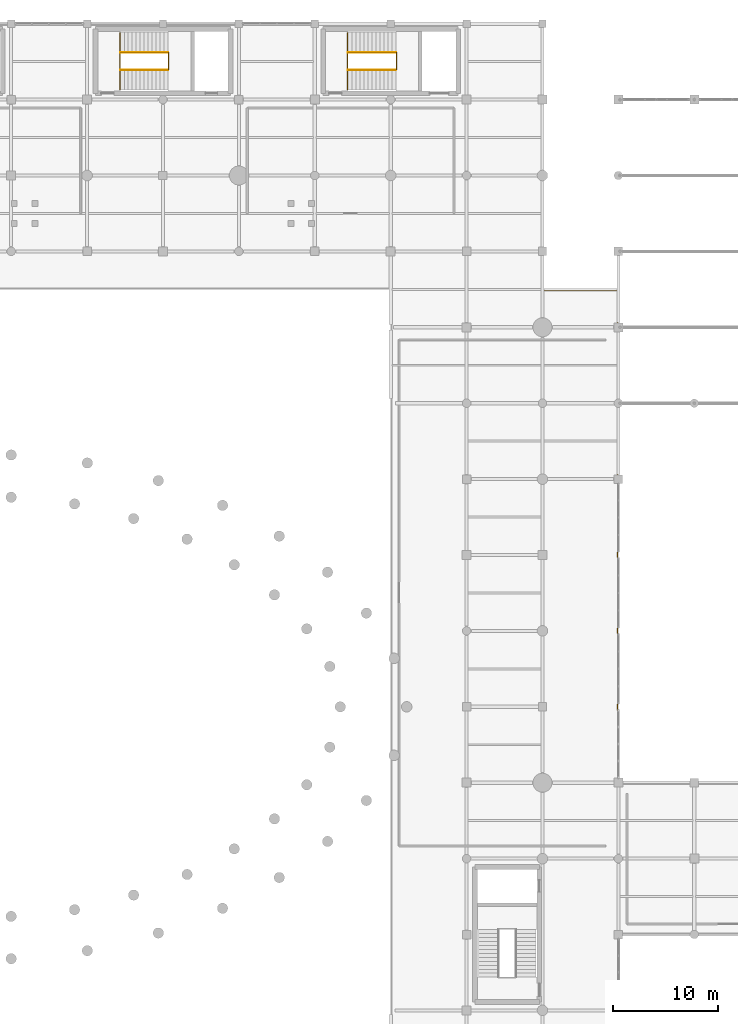
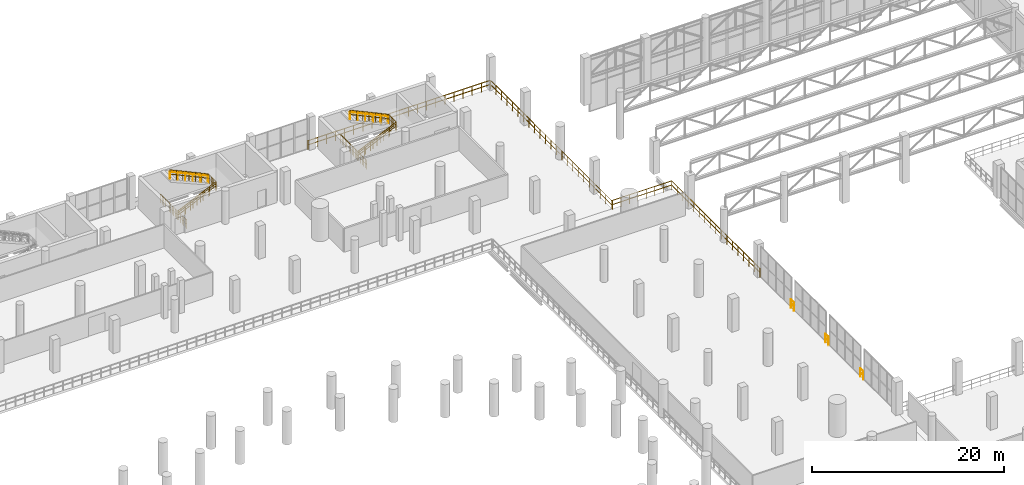
# One storey, part 149 of 153: 16 railings.
"""IFC4 building model written with IfcOpenShell, lengths in metres."""

from ifc_helpers import new_model, si_unit, direction, frame, origin, origin_2d, place, context, subcontext, project, spatial, circle, extrude, material, type_object, element, save


model = new_model("IFC4")

# Units and contexts
model_context = context("Model", 3, precision=1e-05, world=origin(), true_north=direction((0.0, 1.0)))
body_context = subcontext(model_context, "Body", "Model", "MODEL_VIEW")
ifc_project = project(units=[si_unit("LENGTHUNIT", "METRE"), si_unit("AREAUNIT", "SQUARE_METRE"), si_unit("VOLUMEUNIT", "CUBIC_METRE"), si_unit("PLANEANGLEUNIT", "RADIAN"), si_unit("MASSUNIT", "GRAM", prefix="KILO")], contexts=[model_context])

# Site, building, storey
site_placement = place(None, origin())
site = spatial("IfcSite", under=ifc_project, at=site_placement, CompositionType="ELEMENT")
building_placement = place(site_placement, origin())
building = spatial("IfcBuilding", under=site, at=building_placement, Name="Qandorah Velis Arena", CompositionType="ELEMENT")
storey_placement = place(building_placement, frame((0.0, 0.0, 5.39990234375)))
storey = spatial("IfcBuildingStorey", under=building, at=storey_placement, Name="L01", CompositionType="ELEMENT", Elevation=5.39990234375)

# Railings
ifc_material = material(Name="Stainless steel 316", Category="steel")
railing_type_1 = type_object("IfcRailingType", Name="ARC-RL-GRD1150", PredefinedType="GUARDRAIL", material=ifc_material)
railing_1_placement = place(storey_placement, frame((75.110107421875, 123.360107421875, 0.0)))
element("IfcRailing", 1, at=railing_1_placement, inside=storey, type_object=railing_type_1, Name="Stair ST4 landing well-slot guardrail L01", PredefinedType="GUARDRAIL", context=body_context, shape_type="SweptSolid", body=[
    extrude(circle(Radius=0.02392578125, at=origin_2d()), frame((0.0, 0.0, 1.1259765625), z_axis=(0.0, 1.0, 0.0), x_axis=(-1.0, 0.0, 0.0)), (0.0, 0.0, 1.0), 5.3798828125),
    extrude(circle(Radius=0.02392578125, at=origin_2d()), frame((0.0, 0.0, 0.597900390625), z_axis=(0.0, 1.0, 0.0), x_axis=(-1.0, 0.0, 0.0)), (0.0, 0.0, 1.0), 5.3798828125),
    extrude(circle(Radius=0.02099609375, at=origin_2d()), origin(), (0.0, 0.0, 1.0), 1.101806640625),
    extrude(circle(Radius=0.02099609375, at=origin_2d()), frame((0.0, 0.298828125, 0.0)), (0.0, 0.0, 1.0), 1.101806640625),
    extrude(circle(Radius=0.02099609375, at=origin_2d()), frame((0.0, 0.59765625, 0.0)), (0.0, 0.0, 1.0), 1.101806640625),
    extrude(circle(Radius=0.02099609375, at=origin_2d()), frame((0.0, 0.896728515625, 0.0)), (0.0, 0.0, 1.0), 1.101806640625),
    extrude(circle(Radius=0.02099609375, at=origin_2d()), frame((0.0, 1.195556640625, 0.0)), (0.0, 0.0, 1.0), 1.101806640625),
    extrude(circle(Radius=0.02099609375, at=origin_2d()), frame((0.0, 1.494384765625, 0.0)), (0.0, 0.0, 1.0), 1.101806640625),
    extrude(circle(Radius=0.02099609375, at=origin_2d()), frame((0.0, 1.793212890625, 0.0)), (0.0, 0.0, 1.0), 1.101806640625),
    extrude(circle(Radius=0.02099609375, at=origin_2d()), frame((0.0, 2.09228515625, 0.0)), (0.0, 0.0, 1.0), 1.101806640625),
    extrude(circle(Radius=0.02099609375, at=origin_2d()), frame((0.0, 2.39111328125, 0.0)), (0.0, 0.0, 1.0), 1.101806640625),
    extrude(circle(Radius=0.02099609375, at=origin_2d()), frame((0.0, 2.68994140625, 0.0)), (0.0, 0.0, 1.0), 1.101806640625),
    extrude(circle(Radius=0.02099609375, at=origin_2d()), frame((0.0, 2.98876953125, 0.0)), (0.0, 0.0, 1.0), 1.101806640625),
    extrude(circle(Radius=0.02099609375, at=origin_2d()), frame((0.0, 3.28759765625, 0.0)), (0.0, 0.0, 1.0), 1.101806640625),
    extrude(circle(Radius=0.02099609375, at=origin_2d()), frame((0.0, 3.586669921875, 0.0)), (0.0, 0.0, 1.0), 1.101806640625),
    extrude(circle(Radius=0.02099609375, at=origin_2d()), frame((0.0, 3.885498046875, 0.0)), (0.0, 0.0, 1.0), 1.101806640625),
    extrude(circle(Radius=0.02099609375, at=origin_2d()), frame((0.0, 4.184326171875, 0.0)), (0.0, 0.0, 1.0), 1.101806640625),
    extrude(circle(Radius=0.02099609375, at=origin_2d()), frame((0.0, 4.483154296875, 0.0)), (0.0, 0.0, 1.0), 1.101806640625),
    extrude(circle(Radius=0.02099609375, at=origin_2d()), frame((0.0, 4.7822265625, 0.0)), (0.0, 0.0, 1.0), 1.101806640625),
    extrude(circle(Radius=0.02099609375, at=origin_2d()), frame((0.0, 5.0810546875, 0.0)), (0.0, 0.0, 1.0), 1.101806640625),
    extrude(circle(Radius=0.02099609375, at=origin_2d()), frame((0.0, 5.3798828125, 0.0)), (0.0, 0.0, 1.0), 1.101806640625),
])
railing_2_placement = place(storey_placement, frame((79.74609375, 125.239990234375, 2.10009765625)))
element("IfcRailing", 2, at=railing_2_placement, inside=storey, type_object=railing_type_1, Name="Stair ST4 well guardrail (L01)", PredefinedType="GUARDRAIL", context=body_context, shape_type="SweptSolid", body=[
    extrude(circle(Radius=0.02392578125, at=origin_2d()), frame((0.0, 0.0, 1.1259765625), z_axis=(0.0, 1.0, 0.0), x_axis=(-1.0, 0.0, 0.0)), (0.0, 0.0, 1.0), 1.6201171875),
    extrude(circle(Radius=0.02392578125, at=origin_2d()), frame((0.0, 0.0, 0.597900390625), z_axis=(0.0, 1.0, 0.0), x_axis=(-1.0, 0.0, 0.0)), (0.0, 0.0, 1.0), 1.6201171875),
    extrude(circle(Radius=0.02099609375, at=origin_2d()), origin(), (0.0, 0.0, 1.0), 1.101806640625),
    extrude(circle(Radius=0.02099609375, at=origin_2d()), frame((0.0, 0.27001953125, 0.0)), (0.0, 0.0, 1.0), 1.101806640625),
    extrude(circle(Radius=0.02099609375, at=origin_2d()), frame((0.0, 0.5400390625, 0.0)), (0.0, 0.0, 1.0), 1.101806640625),
    extrude(circle(Radius=0.02099609375, at=origin_2d()), frame((0.0, 0.81005859375, 0.0)), (0.0, 0.0, 1.0), 1.101806640625),
    extrude(circle(Radius=0.02099609375, at=origin_2d()), frame((0.0, 1.080078125, 0.0)), (0.0, 0.0, 1.0), 1.101806640625),
    extrude(circle(Radius=0.02099609375, at=origin_2d()), frame((0.0, 1.35009765625, 0.0)), (0.0, 0.0, 1.0), 1.101806640625),
    extrude(circle(Radius=0.02099609375, at=origin_2d()), frame((0.0, 1.6201171875, 0.0)), (0.0, 0.0, 1.0), 1.101806640625),
])
railing_3_placement = place(storey_placement, frame((75.14990234375, 125.22998046875, 0.0)))
element("IfcRailing", 3, at=railing_3_placement, inside=storey, type_object=railing_type_1, Name="Stair ST4 inner flight 1 guardrail (L01)", PredefinedType="GUARDRAIL", context=body_context, shape_type="SweptSolid", body=[
    extrude(circle(Radius=0.02392578125, at=origin_2d()), frame((0.0, 0.0, 1.1259765625), z_axis=(0.907464148506, 0.0, 0.420129526666), x_axis=(0.0, 1.0, 0.0)), (0.0, 0.0, 1.0), 4.998779296875),
    extrude(circle(Radius=0.02392578125, at=origin_2d()), frame((0.0, 0.0, 0.597900390625), z_axis=(0.907464148506, 0.0, 0.420129526666), x_axis=(0.0, 1.0, 0.0)), (0.0, 0.0, 1.0), 4.998779296875),
    extrude(circle(Radius=0.02099609375, at=origin_2d()), origin(), (0.0, 0.0, 1.0), 1.101806640625),
    extrude(circle(Radius=0.02099609375, at=origin_2d()), frame((0.756103515625, 0.0, 0.35009765625)), (0.0, 0.0, 1.0), 1.101806640625),
    extrude(circle(Radius=0.02099609375, at=origin_2d()), frame((1.511962890625, 0.0, 0.699951171875)), (0.0, 0.0, 1.0), 1.101806640625),
    extrude(circle(Radius=0.02099609375, at=origin_2d()), frame((2.26806640625, 0.0, 1.050048828125)), (0.0, 0.0, 1.0), 1.101806640625),
    extrude(circle(Radius=0.02099609375, at=origin_2d()), frame((3.024169921875, 0.0, 1.400146484375)), (0.0, 0.0, 1.0), 1.101806640625),
    extrude(circle(Radius=0.02099609375, at=origin_2d()), frame((3.780029296875, 0.0, 1.75)), (0.0, 0.0, 1.0), 1.101806640625),
    extrude(circle(Radius=0.02099609375, at=origin_2d()), frame((4.5361328125, 0.0, 2.10009765625)), (0.0, 0.0, 1.0), 1.101806640625),
])
railing_4_placement = place(storey_placement, frame((79.68603515625, 126.8701171875, 2.10009765625)))
element("IfcRailing", 4, at=railing_4_placement, inside=storey, type_object=railing_type_1, Name="Stair ST4 inner flight 2 guardrail (L01)", PredefinedType="GUARDRAIL", context=body_context, shape_type="SweptSolid", body=[
    extrude(circle(Radius=0.02392578125, at=origin_2d()), frame((0.0, 0.0, 1.1259765625), z_axis=(-0.907464148506, 0.0, 0.420129526666), x_axis=(0.0, -1.0, 0.0)), (0.0, 0.0, 1.0), 4.998779296875),
    extrude(circle(Radius=0.02392578125, at=origin_2d()), frame((0.0, 0.0, 0.597900390625), z_axis=(-0.907464148506, 0.0, 0.420129526666), x_axis=(0.0, -1.0, 0.0)), (0.0, 0.0, 1.0), 4.998779296875),
    extrude(circle(Radius=0.02099609375, at=origin_2d()), origin(), (0.0, 0.0, 1.0), 1.101806640625),
    extrude(circle(Radius=0.02099609375, at=origin_2d()), frame((-0.756103515625, 0.0, 0.35009765625)), (0.0, 0.0, 1.0), 1.101806640625),
    extrude(circle(Radius=0.02099609375, at=origin_2d()), frame((-1.511962890625, 0.0, 0.699951171875)), (0.0, 0.0, 1.0), 1.101806640625),
    extrude(circle(Radius=0.02099609375, at=origin_2d()), frame((-2.26806640625, 0.0, 1.050048828125)), (0.0, 0.0, 1.0), 1.101806640625),
    extrude(circle(Radius=0.02099609375, at=origin_2d()), frame((-3.024169921875, 0.0, 1.400146484375)), (0.0, 0.0, 1.0), 1.101806640625),
    extrude(circle(Radius=0.02099609375, at=origin_2d()), frame((-3.780029296875, 0.0, 1.75)), (0.0, 0.0, 1.0), 1.101806640625),
    extrude(circle(Radius=0.02099609375, at=origin_2d()), frame((-4.5361328125, 0.0, 2.10009765625)), (0.0, 0.0, 1.0), 1.101806640625),
])
railing_5_placement = place(storey_placement, frame((96.7099609375, 123.360107421875, 0.0)))
element("IfcRailing", 5, at=railing_5_placement, inside=storey, type_object=railing_type_1, Name="Stair ST12 landing well-slot guardrail L01", PredefinedType="GUARDRAIL", context=body_context, shape_type="SweptSolid", body=[
    extrude(circle(Radius=0.02392578125, at=origin_2d()), frame((0.0, 0.0, 1.1259765625), z_axis=(0.0, 1.0, 0.0), x_axis=(-1.0, 0.0, 0.0)), (0.0, 0.0, 1.0), 5.3798828125),
    extrude(circle(Radius=0.02392578125, at=origin_2d()), frame((0.0, 0.0, 0.597900390625), z_axis=(0.0, 1.0, 0.0), x_axis=(-1.0, 0.0, 0.0)), (0.0, 0.0, 1.0), 5.3798828125),
    extrude(circle(Radius=0.02099609375, at=origin_2d()), origin(), (0.0, 0.0, 1.0), 1.101806640625),
    extrude(circle(Radius=0.02099609375, at=origin_2d()), frame((0.0, 0.298828125, 0.0)), (0.0, 0.0, 1.0), 1.101806640625),
    extrude(circle(Radius=0.02099609375, at=origin_2d()), frame((0.0, 0.59765625, 0.0)), (0.0, 0.0, 1.0), 1.101806640625),
    extrude(circle(Radius=0.02099609375, at=origin_2d()), frame((0.0, 0.896728515625, 0.0)), (0.0, 0.0, 1.0), 1.101806640625),
    extrude(circle(Radius=0.02099609375, at=origin_2d()), frame((0.0, 1.195556640625, 0.0)), (0.0, 0.0, 1.0), 1.101806640625),
    extrude(circle(Radius=0.02099609375, at=origin_2d()), frame((0.0, 1.494384765625, 0.0)), (0.0, 0.0, 1.0), 1.101806640625),
    extrude(circle(Radius=0.02099609375, at=origin_2d()), frame((0.0, 1.793212890625, 0.0)), (0.0, 0.0, 1.0), 1.101806640625),
    extrude(circle(Radius=0.02099609375, at=origin_2d()), frame((0.0, 2.09228515625, 0.0)), (0.0, 0.0, 1.0), 1.101806640625),
    extrude(circle(Radius=0.02099609375, at=origin_2d()), frame((0.0, 2.39111328125, 0.0)), (0.0, 0.0, 1.0), 1.101806640625),
    extrude(circle(Radius=0.02099609375, at=origin_2d()), frame((0.0, 2.68994140625, 0.0)), (0.0, 0.0, 1.0), 1.101806640625),
    extrude(circle(Radius=0.02099609375, at=origin_2d()), frame((0.0, 2.98876953125, 0.0)), (0.0, 0.0, 1.0), 1.101806640625),
    extrude(circle(Radius=0.02099609375, at=origin_2d()), frame((0.0, 3.28759765625, 0.0)), (0.0, 0.0, 1.0), 1.101806640625),
    extrude(circle(Radius=0.02099609375, at=origin_2d()), frame((0.0, 3.586669921875, 0.0)), (0.0, 0.0, 1.0), 1.101806640625),
    extrude(circle(Radius=0.02099609375, at=origin_2d()), frame((0.0, 3.885498046875, 0.0)), (0.0, 0.0, 1.0), 1.101806640625),
    extrude(circle(Radius=0.02099609375, at=origin_2d()), frame((0.0, 4.184326171875, 0.0)), (0.0, 0.0, 1.0), 1.101806640625),
    extrude(circle(Radius=0.02099609375, at=origin_2d()), frame((0.0, 4.483154296875, 0.0)), (0.0, 0.0, 1.0), 1.101806640625),
    extrude(circle(Radius=0.02099609375, at=origin_2d()), frame((0.0, 4.7822265625, 0.0)), (0.0, 0.0, 1.0), 1.101806640625),
    extrude(circle(Radius=0.02099609375, at=origin_2d()), frame((0.0, 5.0810546875, 0.0)), (0.0, 0.0, 1.0), 1.101806640625),
    extrude(circle(Radius=0.02099609375, at=origin_2d()), frame((0.0, 5.3798828125, 0.0)), (0.0, 0.0, 1.0), 1.101806640625),
])
railing_6_placement = place(storey_placement, frame((101.345947265625, 125.239990234375, 2.10009765625)))
element("IfcRailing", 6, at=railing_6_placement, inside=storey, type_object=railing_type_1, Name="Stair ST12 well guardrail (L01)", PredefinedType="GUARDRAIL", context=body_context, shape_type="SweptSolid", body=[
    extrude(circle(Radius=0.02392578125, at=origin_2d()), frame((0.0, 0.0, 1.1259765625), z_axis=(0.0, 1.0, 0.0), x_axis=(-1.0, 0.0, 0.0)), (0.0, 0.0, 1.0), 1.6201171875),
    extrude(circle(Radius=0.02392578125, at=origin_2d()), frame((0.0, 0.0, 0.597900390625), z_axis=(0.0, 1.0, 0.0), x_axis=(-1.0, 0.0, 0.0)), (0.0, 0.0, 1.0), 1.6201171875),
    extrude(circle(Radius=0.02099609375, at=origin_2d()), origin(), (0.0, 0.0, 1.0), 1.101806640625),
    extrude(circle(Radius=0.02099609375, at=origin_2d()), frame((0.0, 0.27001953125, 0.0)), (0.0, 0.0, 1.0), 1.101806640625),
    extrude(circle(Radius=0.02099609375, at=origin_2d()), frame((0.0, 0.5400390625, 0.0)), (0.0, 0.0, 1.0), 1.101806640625),
    extrude(circle(Radius=0.02099609375, at=origin_2d()), frame((0.0, 0.81005859375, 0.0)), (0.0, 0.0, 1.0), 1.101806640625),
    extrude(circle(Radius=0.02099609375, at=origin_2d()), frame((0.0, 1.080078125, 0.0)), (0.0, 0.0, 1.0), 1.101806640625),
    extrude(circle(Radius=0.02099609375, at=origin_2d()), frame((0.0, 1.35009765625, 0.0)), (0.0, 0.0, 1.0), 1.101806640625),
    extrude(circle(Radius=0.02099609375, at=origin_2d()), frame((0.0, 1.6201171875, 0.0)), (0.0, 0.0, 1.0), 1.101806640625),
])
railing_7_placement = place(storey_placement, frame((96.75, 125.22998046875, 0.0)))
element("IfcRailing", 7, at=railing_7_placement, inside=storey, type_object=railing_type_1, Name="Stair ST12 inner flight 1 guardrail (L01)", PredefinedType="GUARDRAIL", context=body_context, shape_type="SweptSolid", body=[
    extrude(circle(Radius=0.02392578125, at=origin_2d()), frame((0.0, 0.0, 1.1259765625), z_axis=(0.907455527081, 0.0, 0.420148148122), x_axis=(0.0, 1.0, 0.0)), (0.0, 0.0, 1.0), 4.99853515625),
    extrude(circle(Radius=0.02392578125, at=origin_2d()), frame((0.0, 0.0, 0.597900390625), z_axis=(0.907455527081, 0.0, 0.420148148122), x_axis=(0.0, 1.0, 0.0)), (0.0, 0.0, 1.0), 4.99853515625),
    extrude(circle(Radius=0.02099609375, at=origin_2d()), origin(), (0.0, 0.0, 1.0), 1.101806640625),
    extrude(circle(Radius=0.02099609375, at=origin_2d()), frame((0.755859375, 0.0, 0.35009765625)), (0.0, 0.0, 1.0), 1.101806640625),
    extrude(circle(Radius=0.02099609375, at=origin_2d()), frame((1.511962890625, 0.0, 0.699951171875)), (0.0, 0.0, 1.0), 1.101806640625),
    extrude(circle(Radius=0.02099609375, at=origin_2d()), frame((2.26806640625, 0.0, 1.050048828125)), (0.0, 0.0, 1.0), 1.101806640625),
    extrude(circle(Radius=0.02099609375, at=origin_2d()), frame((3.02392578125, 0.0, 1.400146484375)), (0.0, 0.0, 1.0), 1.101806640625),
    extrude(circle(Radius=0.02099609375, at=origin_2d()), frame((3.77978515625, 0.0, 1.75)), (0.0, 0.0, 1.0), 1.101806640625),
    extrude(circle(Radius=0.02099609375, at=origin_2d()), frame((4.535888671875, 0.0, 2.10009765625)), (0.0, 0.0, 1.0), 1.101806640625),
])
railing_8_placement = place(storey_placement, frame((101.285888671875, 126.8701171875, 2.10009765625)))
element("IfcRailing", 8, at=railing_8_placement, inside=storey, type_object=railing_type_1, Name="Stair ST12 inner flight 2 guardrail (L01)", PredefinedType="GUARDRAIL", context=body_context, shape_type="SweptSolid", body=[
    extrude(circle(Radius=0.02392578125, at=origin_2d()), frame((0.0, 0.0, 1.1259765625), z_axis=(-0.907455527081, 0.0, 0.420148148122), x_axis=(0.0, -1.0, 0.0)), (0.0, 0.0, 1.0), 4.99853515625),
    extrude(circle(Radius=0.02392578125, at=origin_2d()), frame((0.0, 0.0, 0.597900390625), z_axis=(-0.907455527081, 0.0, 0.420148148122), x_axis=(0.0, -1.0, 0.0)), (0.0, 0.0, 1.0), 4.99853515625),
    extrude(circle(Radius=0.02099609375, at=origin_2d()), origin(), (0.0, 0.0, 1.0), 1.101806640625),
    extrude(circle(Radius=0.02099609375, at=origin_2d()), frame((-0.755859375, 0.0, 0.35009765625)), (0.0, 0.0, 1.0), 1.101806640625),
    extrude(circle(Radius=0.02099609375, at=origin_2d()), frame((-1.511962890625, 0.0, 0.699951171875)), (0.0, 0.0, 1.0), 1.101806640625),
    extrude(circle(Radius=0.02099609375, at=origin_2d()), frame((-2.26806640625, 0.0, 1.050048828125)), (0.0, 0.0, 1.0), 1.101806640625),
    extrude(circle(Radius=0.02099609375, at=origin_2d()), frame((-3.02392578125, 0.0, 1.400146484375)), (0.0, 0.0, 1.0), 1.101806640625),
    extrude(circle(Radius=0.02099609375, at=origin_2d()), frame((-3.77978515625, 0.0, 1.75)), (0.0, 0.0, 1.0), 1.101806640625),
    extrude(circle(Radius=0.02099609375, at=origin_2d()), frame((-4.535888671875, 0.0, 2.10009765625)), (0.0, 0.0, 1.0), 1.101806640625),
])
railing_9_placement = place(storey_placement, frame((93.22509765625, 129.5, 0.0)))
element("IfcRailing", 9, at=railing_9_placement, inside=storey, type_object=railing_type_1, Name="Slab edge safety guardrail L01-107", PredefinedType="GUARDRAIL", context=body_context, shape_type="SweptSolid", body=[
    extrude(circle(Radius=0.02392578125, at=origin_2d()), frame((0.0, 0.0, 1.1259765625), z_axis=(1.0, 0.0, 0.0), x_axis=(0.0, 1.0, 0.0)), (0.0, 0.0, 1.0), 21.875),
    extrude(circle(Radius=0.02392578125, at=origin_2d()), frame((0.0, 0.0, 0.597900390625), z_axis=(1.0, 0.0, 0.0), x_axis=(0.0, 1.0, 0.0)), (0.0, 0.0, 1.0), 21.875),
    extrude(circle(Radius=0.02392578125, at=origin_2d()), frame((21.875, 0.0, 1.1259765625), z_axis=(0.0, -1.0, 0.0), x_axis=(1.0, 0.0, 0.0)), (0.0, 0.0, 1.0), 25.10009765625),
    extrude(circle(Radius=0.02392578125, at=origin_2d()), frame((21.875, 0.0, 0.597900390625), z_axis=(0.0, -1.0, 0.0), x_axis=(1.0, 0.0, 0.0)), (0.0, 0.0, 1.0), 25.10009765625),
    extrude(circle(Radius=0.02392578125, at=origin_2d()), frame((21.875, -25.10009765625, 1.1259765625), z_axis=(0.634287067386, -0.773097611008, 0.0), x_axis=(0.773097611008, 0.634287067386, 0.0)), (0.0, 0.0, 1.0), 0.126708984375),
    extrude(circle(Radius=0.02392578125, at=origin_2d()), frame((21.875, -25.10009765625, 0.597900390625), z_axis=(0.634287067386, -0.773097611008, 0.0), x_axis=(0.773097611008, 0.634287067386, 0.0)), (0.0, 0.0, 1.0), 0.126708984375),
    extrude(circle(Radius=0.02392578125, at=origin_2d()), frame((21.955322265625, -25.197998046875, 1.1259765625), z_axis=(0.999999962372, -0.000274329597, 0.0), x_axis=(0.000274329597, 0.999999962372, 0.0)), (0.0, 0.0, 1.0), 7.11962890625),
    extrude(circle(Radius=0.02392578125, at=origin_2d()), frame((21.955322265625, -25.197998046875, 0.597900390625), z_axis=(0.999999962372, -0.000274329597, 0.0), x_axis=(0.000274329597, 0.999999962372, 0.0)), (0.0, 0.0, 1.0), 7.11962890625),
    extrude(circle(Radius=0.02392578125, at=origin_2d()), frame((29.074951171875, -25.199951171875, 1.1259765625), z_axis=(0.0, -1.0, 0.0), x_axis=(1.0, 0.0, 0.0)), (0.0, 0.0, 1.0), 18.324951171875),
    extrude(circle(Radius=0.02392578125, at=origin_2d()), frame((29.074951171875, -25.199951171875, 0.597900390625), z_axis=(0.0, -1.0, 0.0), x_axis=(1.0, 0.0, 0.0)), (0.0, 0.0, 1.0), 18.324951171875),
    extrude(circle(Radius=0.02099609375, at=origin_2d()), origin(), (0.0, 0.0, 1.0), 1.101806640625),
    extrude(circle(Radius=0.02099609375, at=origin_2d()), frame((1.09375, 0.0, 0.0)), (0.0, 0.0, 1.0), 1.101806640625),
    extrude(circle(Radius=0.02099609375, at=origin_2d()), frame((2.1875, 0.0, 0.0)), (0.0, 0.0, 1.0), 1.101806640625),
    extrude(circle(Radius=0.02099609375, at=origin_2d()), frame((3.28125, 0.0, 0.0)), (0.0, 0.0, 1.0), 1.101806640625),
    extrude(circle(Radius=0.02099609375, at=origin_2d()), frame((4.375, 0.0, 0.0)), (0.0, 0.0, 1.0), 1.101806640625),
    extrude(circle(Radius=0.02099609375, at=origin_2d()), frame((5.46875, 0.0, 0.0)), (0.0, 0.0, 1.0), 1.101806640625),
    extrude(circle(Radius=0.02099609375, at=origin_2d()), frame((6.5625, 0.0, 0.0)), (0.0, 0.0, 1.0), 1.101806640625),
    extrude(circle(Radius=0.02099609375, at=origin_2d()), frame((7.65625, 0.0, 0.0)), (0.0, 0.0, 1.0), 1.101806640625),
    extrude(circle(Radius=0.02099609375, at=origin_2d()), frame((8.75, 0.0, 0.0)), (0.0, 0.0, 1.0), 1.101806640625),
    extrude(circle(Radius=0.02099609375, at=origin_2d()), frame((9.84375, 0.0, 0.0)), (0.0, 0.0, 1.0), 1.101806640625),
    extrude(circle(Radius=0.02099609375, at=origin_2d()), frame((10.9375, 0.0, 0.0)), (0.0, 0.0, 1.0), 1.101806640625),
    extrude(circle(Radius=0.02099609375, at=origin_2d()), frame((12.03125, 0.0, 0.0)), (0.0, 0.0, 1.0), 1.101806640625),
    extrude(circle(Radius=0.02099609375, at=origin_2d()), frame((13.125, 0.0, 0.0)), (0.0, 0.0, 1.0), 1.101806640625),
    extrude(circle(Radius=0.02099609375, at=origin_2d()), frame((14.21875, 0.0, 0.0)), (0.0, 0.0, 1.0), 1.101806640625),
    extrude(circle(Radius=0.02099609375, at=origin_2d()), frame((15.3125, 0.0, 0.0)), (0.0, 0.0, 1.0), 1.101806640625),
    extrude(circle(Radius=0.02099609375, at=origin_2d()), frame((16.40625, 0.0, 0.0)), (0.0, 0.0, 1.0), 1.101806640625),
    extrude(circle(Radius=0.02099609375, at=origin_2d()), frame((17.5, 0.0, 0.0)), (0.0, 0.0, 1.0), 1.101806640625),
    extrude(circle(Radius=0.02099609375, at=origin_2d()), frame((18.59375, 0.0, 0.0)), (0.0, 0.0, 1.0), 1.101806640625),
    extrude(circle(Radius=0.02099609375, at=origin_2d()), frame((19.6875, 0.0, 0.0)), (0.0, 0.0, 1.0), 1.101806640625),
    extrude(circle(Radius=0.02099609375, at=origin_2d()), frame((20.78125, 0.0, 0.0)), (0.0, 0.0, 1.0), 1.101806640625),
    extrude(circle(Radius=0.02099609375, at=origin_2d()), frame((21.875, 0.0, 0.0)), (0.0, 0.0, 1.0), 1.101806640625),
    extrude(circle(Radius=0.02099609375, at=origin_2d()), frame((21.875, -1.140869140625, 0.0)), (0.0, 0.0, 1.0), 1.101806640625),
    extrude(circle(Radius=0.02099609375, at=origin_2d()), frame((21.875, -2.28173828125, 0.0)), (0.0, 0.0, 1.0), 1.101806640625),
    extrude(circle(Radius=0.02099609375, at=origin_2d()), frame((21.875, -3.4228515625, 0.0)), (0.0, 0.0, 1.0), 1.101806640625),
    extrude(circle(Radius=0.02099609375, at=origin_2d()), frame((21.875, -4.563720703125, 0.0)), (0.0, 0.0, 1.0), 1.101806640625),
    extrude(circle(Radius=0.02099609375, at=origin_2d()), frame((21.875, -5.70458984375, 0.0)), (0.0, 0.0, 1.0), 1.101806640625),
    extrude(circle(Radius=0.02099609375, at=origin_2d()), frame((21.875, -6.845458984375, 0.0)), (0.0, 0.0, 1.0), 1.101806640625),
    extrude(circle(Radius=0.02099609375, at=origin_2d()), frame((21.875, -7.986328125, 0.0)), (0.0, 0.0, 1.0), 1.101806640625),
    extrude(circle(Radius=0.02099609375, at=origin_2d()), frame((21.875, -9.127197265625, 0.0)), (0.0, 0.0, 1.0), 1.101806640625),
    extrude(circle(Radius=0.02099609375, at=origin_2d()), frame((21.875, -10.268310546875, 0.0)), (0.0, 0.0, 1.0), 1.101806640625),
    extrude(circle(Radius=0.02099609375, at=origin_2d()), frame((21.875, -11.4091796875, 0.0)), (0.0, 0.0, 1.0), 1.101806640625),
    extrude(circle(Radius=0.02099609375, at=origin_2d()), frame((21.875, -12.550048828125, 0.0)), (0.0, 0.0, 1.0), 1.101806640625),
    extrude(circle(Radius=0.02099609375, at=origin_2d()), frame((21.875, -13.69091796875, 0.0)), (0.0, 0.0, 1.0), 1.101806640625),
    extrude(circle(Radius=0.02099609375, at=origin_2d()), frame((21.875, -14.831787109375, 0.0)), (0.0, 0.0, 1.0), 1.101806640625),
    extrude(circle(Radius=0.02099609375, at=origin_2d()), frame((21.875, -15.972900390625, 0.0)), (0.0, 0.0, 1.0), 1.101806640625),
    extrude(circle(Radius=0.02099609375, at=origin_2d()), frame((21.875, -17.11376953125, 0.0)), (0.0, 0.0, 1.0), 1.101806640625),
    extrude(circle(Radius=0.02099609375, at=origin_2d()), frame((21.875, -18.254638671875, 0.0)), (0.0, 0.0, 1.0), 1.101806640625),
    extrude(circle(Radius=0.02099609375, at=origin_2d()), frame((21.875, -19.3955078125, 0.0)), (0.0, 0.0, 1.0), 1.101806640625),
    extrude(circle(Radius=0.02099609375, at=origin_2d()), frame((21.875, -20.536376953125, 0.0)), (0.0, 0.0, 1.0), 1.101806640625),
    extrude(circle(Radius=0.02099609375, at=origin_2d()), frame((21.875, -21.67724609375, 0.0)), (0.0, 0.0, 1.0), 1.101806640625),
    extrude(circle(Radius=0.02099609375, at=origin_2d()), frame((21.875, -22.818359375, 0.0)), (0.0, 0.0, 1.0), 1.101806640625),
    extrude(circle(Radius=0.02099609375, at=origin_2d()), frame((21.875, -23.959228515625, 0.0)), (0.0, 0.0, 1.0), 1.101806640625),
    extrude(circle(Radius=0.02099609375, at=origin_2d()), frame((21.875, -25.10009765625, 0.0)), (0.0, 0.0, 1.0), 1.101806640625),
    extrude(circle(Radius=0.02099609375, at=origin_2d()), frame((21.955322265625, -25.197998046875, 0.0)), (0.0, 0.0, 1.0), 1.101806640625),
    extrude(circle(Radius=0.02099609375, at=origin_2d()), frame((22.972412109375, -25.1982421875, 0.0)), (0.0, 0.0, 1.0), 1.101806640625),
    extrude(circle(Radius=0.02099609375, at=origin_2d()), frame((23.989501953125, -25.198486328125, 0.0)), (0.0, 0.0, 1.0), 1.101806640625),
    extrude(circle(Radius=0.02099609375, at=origin_2d()), frame((25.006591796875, -25.19873046875, 0.0)), (0.0, 0.0, 1.0), 1.101806640625),
    extrude(circle(Radius=0.02099609375, at=origin_2d()), frame((26.023681640625, -25.19921875, 0.0)), (0.0, 0.0, 1.0), 1.101806640625),
    extrude(circle(Radius=0.02099609375, at=origin_2d()), frame((27.040771484375, -25.199462890625, 0.0)), (0.0, 0.0, 1.0), 1.101806640625),
    extrude(circle(Radius=0.02099609375, at=origin_2d()), frame((28.057861328125, -25.19970703125, 0.0)), (0.0, 0.0, 1.0), 1.101806640625),
    extrude(circle(Radius=0.02099609375, at=origin_2d()), frame((29.074951171875, -25.199951171875, 0.0)), (0.0, 0.0, 1.0), 1.101806640625),
    extrude(circle(Radius=0.02099609375, at=origin_2d()), frame((29.074951171875, -26.34521484375, 0.0)), (0.0, 0.0, 1.0), 1.101806640625),
    extrude(circle(Radius=0.02099609375, at=origin_2d()), frame((29.074951171875, -27.490478515625, 0.0)), (0.0, 0.0, 1.0), 1.101806640625),
    extrude(circle(Radius=0.02099609375, at=origin_2d()), frame((29.074951171875, -28.635986328125, 0.0)), (0.0, 0.0, 1.0), 1.101806640625),
    extrude(circle(Radius=0.02099609375, at=origin_2d()), frame((29.074951171875, -29.78125, 0.0)), (0.0, 0.0, 1.0), 1.101806640625),
    extrude(circle(Radius=0.02099609375, at=origin_2d()), frame((29.074951171875, -30.926513671875, 0.0)), (0.0, 0.0, 1.0), 1.101806640625),
    extrude(circle(Radius=0.02099609375, at=origin_2d()), frame((29.074951171875, -32.07177734375, 0.0)), (0.0, 0.0, 1.0), 1.101806640625),
    extrude(circle(Radius=0.02099609375, at=origin_2d()), frame((29.074951171875, -33.217041015625, 0.0)), (0.0, 0.0, 1.0), 1.101806640625),
    extrude(circle(Radius=0.02099609375, at=origin_2d()), frame((29.074951171875, -34.3623046875, 0.0)), (0.0, 0.0, 1.0), 1.101806640625),
    extrude(circle(Radius=0.02099609375, at=origin_2d()), frame((29.074951171875, -35.5078125, 0.0)), (0.0, 0.0, 1.0), 1.101806640625),
    extrude(circle(Radius=0.02099609375, at=origin_2d()), frame((29.074951171875, -36.653076171875, 0.0)), (0.0, 0.0, 1.0), 1.101806640625),
    extrude(circle(Radius=0.02099609375, at=origin_2d()), frame((29.074951171875, -37.79833984375, 0.0)), (0.0, 0.0, 1.0), 1.101806640625),
    extrude(circle(Radius=0.02099609375, at=origin_2d()), frame((29.074951171875, -38.943603515625, 0.0)), (0.0, 0.0, 1.0), 1.101806640625),
    extrude(circle(Radius=0.02099609375, at=origin_2d()), frame((29.074951171875, -40.0888671875, 0.0)), (0.0, 0.0, 1.0), 1.101806640625),
    extrude(circle(Radius=0.02099609375, at=origin_2d()), frame((29.074951171875, -41.234375, 0.0)), (0.0, 0.0, 1.0), 1.101806640625),
    extrude(circle(Radius=0.02099609375, at=origin_2d()), frame((29.074951171875, -42.379638671875, 0.0)), (0.0, 0.0, 1.0), 1.101806640625),
    extrude(circle(Radius=0.02099609375, at=origin_2d()), frame((29.074951171875, -43.52490234375, 0.0)), (0.0, 0.0, 1.0), 1.101806640625),
])
for number, where, name in (
    (10, (122.300048828125, 79.5, 0.0), "Slab edge safety guardrail L01-108"),
    (11, (122.300048828125, 72.300048828125, 0.0), "Slab edge safety guardrail L01-109"),
    (12, (122.300048828125, 65.10009765625, 0.0), "Slab edge safety guardrail L01-110"),
):
    element("IfcRailing", number, at=place(storey_placement, frame(where)), inside=storey, type_object=railing_type_1, Name=name, PredefinedType="GUARDRAIL", context=body_context, shape_type="SweptSolid", body=[
        extrude(circle(Radius=0.02392578125, at=origin_2d()), frame((0.0, 0.0, 1.1259765625), z_axis=(0.0, -1.0, 0.0), x_axis=(1.0, 0.0, 0.0)), (0.0, 0.0, 1.0), 0.60009765625),
        extrude(circle(Radius=0.02392578125, at=origin_2d()), frame((0.0, 0.0, 0.597900390625), z_axis=(0.0, -1.0, 0.0), x_axis=(1.0, 0.0, 0.0)), (0.0, 0.0, 1.0), 0.60009765625),
        extrude(circle(Radius=0.02099609375, at=origin_2d()), origin(), (0.0, 0.0, 1.0), 1.101806640625),
        extrude(circle(Radius=0.02099609375, at=origin_2d()), frame((0.0, -0.60009765625, 0.0)), (0.0, 0.0, 1.0), 1.101806640625),
    ])
railing_type_2 = type_object("IfcRailingType", Name="ARC-RL-HND920", PredefinedType="HANDRAIL", material=ifc_material)
railing_10_placement = place(storey_placement, frame((75.14990234375, 125.22998046875, 0.0)))
element("IfcRailing", 13, at=railing_10_placement, inside=storey, type_object=railing_type_2, Name="Stair ST4 inner handrail 1 (L01)", PredefinedType="HANDRAIL", context=body_context, shape_type="SweptSolid", body=[
    extrude(circle(Radius=0.02392578125, at=origin_2d()), frame((0.0, 0.0, 0.89599609375), z_axis=(0.907464148506, 0.0, 0.420129526666), x_axis=(0.0, 1.0, 0.0)), (0.0, 0.0, 1.0), 4.998779296875),
    extrude(circle(Radius=0.02099609375, at=origin_2d()), origin(), (0.0, 0.0, 1.0), 0.871826171875),
    extrude(circle(Radius=0.02099609375, at=origin_2d()), frame((0.9072265625, 0.0, 0.419921875)), (0.0, 0.0, 1.0), 0.871826171875),
    extrude(circle(Radius=0.02099609375, at=origin_2d()), frame((1.814453125, 0.0, 0.840087890625)), (0.0, 0.0, 1.0), 0.871826171875),
    extrude(circle(Radius=0.02099609375, at=origin_2d()), frame((2.7216796875, 0.0, 1.260009765625)), (0.0, 0.0, 1.0), 0.871826171875),
    extrude(circle(Radius=0.02099609375, at=origin_2d()), frame((3.62890625, 0.0, 1.68017578125)), (0.0, 0.0, 1.0), 0.871826171875),
    extrude(circle(Radius=0.02099609375, at=origin_2d()), frame((4.5361328125, 0.0, 2.10009765625)), (0.0, 0.0, 1.0), 0.871826171875),
])
railing_11_placement = place(storey_placement, frame((79.68603515625, 126.8701171875, 2.10009765625)))
element("IfcRailing", 14, at=railing_11_placement, inside=storey, type_object=railing_type_2, Name="Stair ST4 inner handrail 2 (L01)", PredefinedType="HANDRAIL", context=body_context, shape_type="SweptSolid", body=[
    extrude(circle(Radius=0.02392578125, at=origin_2d()), frame((0.0, 0.0, 0.89599609375), z_axis=(-0.907464148506, 0.0, 0.420129526666), x_axis=(0.0, -1.0, 0.0)), (0.0, 0.0, 1.0), 4.998779296875),
    extrude(circle(Radius=0.02099609375, at=origin_2d()), origin(), (0.0, 0.0, 1.0), 0.871826171875),
    extrude(circle(Radius=0.02099609375, at=origin_2d()), frame((-0.9072265625, 0.0, 0.419921875)), (0.0, 0.0, 1.0), 0.871826171875),
    extrude(circle(Radius=0.02099609375, at=origin_2d()), frame((-1.814453125, 0.0, 0.840087890625)), (0.0, 0.0, 1.0), 0.871826171875),
    extrude(circle(Radius=0.02099609375, at=origin_2d()), frame((-2.7216796875, 0.0, 1.260009765625)), (0.0, 0.0, 1.0), 0.871826171875),
    extrude(circle(Radius=0.02099609375, at=origin_2d()), frame((-3.62890625, 0.0, 1.68017578125)), (0.0, 0.0, 1.0), 0.871826171875),
    extrude(circle(Radius=0.02099609375, at=origin_2d()), frame((-4.5361328125, 0.0, 2.10009765625)), (0.0, 0.0, 1.0), 0.871826171875),
])
railing_12_placement = place(storey_placement, frame((96.75, 125.22998046875, 0.0)))
element("IfcRailing", 15, at=railing_12_placement, inside=storey, type_object=railing_type_2, Name="Stair ST12 inner handrail 1 (L01)", PredefinedType="HANDRAIL", context=body_context, shape_type="SweptSolid", body=[
    extrude(circle(Radius=0.02392578125, at=origin_2d()), frame((0.0, 0.0, 0.89599609375), z_axis=(0.907455527081, 0.0, 0.420148148122), x_axis=(0.0, 1.0, 0.0)), (0.0, 0.0, 1.0), 4.99853515625),
    extrude(circle(Radius=0.02099609375, at=origin_2d()), origin(), (0.0, 0.0, 1.0), 0.871826171875),
    extrude(circle(Radius=0.02099609375, at=origin_2d()), frame((0.9072265625, 0.0, 0.419921875)), (0.0, 0.0, 1.0), 0.871826171875),
    extrude(circle(Radius=0.02099609375, at=origin_2d()), frame((1.814453125, 0.0, 0.840087890625)), (0.0, 0.0, 1.0), 0.871826171875),
    extrude(circle(Radius=0.02099609375, at=origin_2d()), frame((2.721435546875, 0.0, 1.260009765625)), (0.0, 0.0, 1.0), 0.871826171875),
    extrude(circle(Radius=0.02099609375, at=origin_2d()), frame((3.628662109375, 0.0, 1.68017578125)), (0.0, 0.0, 1.0), 0.871826171875),
    extrude(circle(Radius=0.02099609375, at=origin_2d()), frame((4.535888671875, 0.0, 2.10009765625)), (0.0, 0.0, 1.0), 0.871826171875),
])
railing_13_placement = place(storey_placement, frame((101.285888671875, 126.8701171875, 2.10009765625)))
element("IfcRailing", 16, at=railing_13_placement, inside=storey, type_object=railing_type_2, Name="Stair ST12 inner handrail 2 (L01)", PredefinedType="HANDRAIL", context=body_context, shape_type="SweptSolid", body=[
    extrude(circle(Radius=0.02392578125, at=origin_2d()), frame((0.0, 0.0, 0.89599609375), z_axis=(-0.907455527081, 0.0, 0.420148148122), x_axis=(0.0, -1.0, 0.0)), (0.0, 0.0, 1.0), 4.99853515625),
    extrude(circle(Radius=0.02099609375, at=origin_2d()), origin(), (0.0, 0.0, 1.0), 0.871826171875),
    extrude(circle(Radius=0.02099609375, at=origin_2d()), frame((-0.9072265625, 0.0, 0.419921875)), (0.0, 0.0, 1.0), 0.871826171875),
    extrude(circle(Radius=0.02099609375, at=origin_2d()), frame((-1.814453125, 0.0, 0.840087890625)), (0.0, 0.0, 1.0), 0.871826171875),
    extrude(circle(Radius=0.02099609375, at=origin_2d()), frame((-2.721435546875, 0.0, 1.260009765625)), (0.0, 0.0, 1.0), 0.871826171875),
    extrude(circle(Radius=0.02099609375, at=origin_2d()), frame((-3.628662109375, 0.0, 1.68017578125)), (0.0, 0.0, 1.0), 0.871826171875),
    extrude(circle(Radius=0.02099609375, at=origin_2d()), frame((-4.535888671875, 0.0, 2.10009765625)), (0.0, 0.0, 1.0), 0.871826171875),
])

save(model, "model.ifc")
